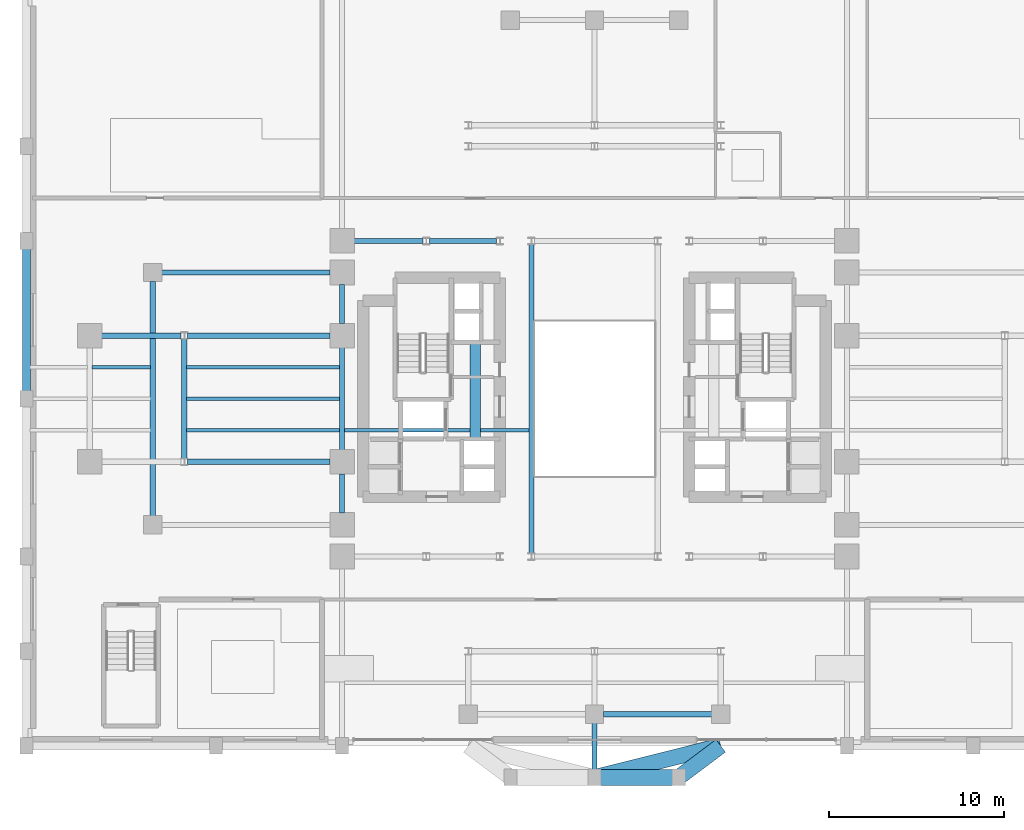
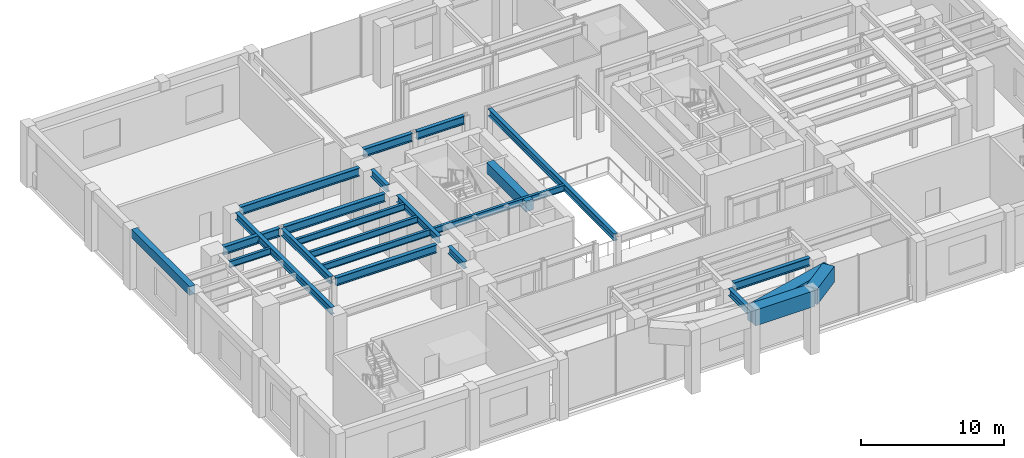
# One storey, part 5 of 16: 24 beams.
"""IFC4 building model written with IfcOpenShell, lengths in metres."""

from ifc_helpers import new_model, si_unit, direction, frame, origin, origin_2d, place, context, subcontext, project, spatial, rectangle, i_section, extrude, source, transform, mapped, material, material_profile, profile_set, type_object, element, save


model = new_model("IFC4")

# Units and contexts
model_context = context("Model", 3, precision=1e-05, world=origin(), true_north=direction((0.0, 1.0)))
body_context = subcontext(model_context, "Body", "Model", "MODEL_VIEW")
ifc_project = project(units=[si_unit("LENGTHUNIT", "METRE"), si_unit("AREAUNIT", "SQUARE_METRE"), si_unit("VOLUMEUNIT", "CUBIC_METRE"), si_unit("PLANEANGLEUNIT", "RADIAN"), si_unit("MASSUNIT", "GRAM", prefix="KILO")], contexts=[model_context])

# Site, building, storey
site_placement = place(None, origin())
site = spatial("IfcSite", under=ifc_project, at=site_placement, CompositionType="ELEMENT")
building_placement = place(site_placement, origin())
building = spatial("IfcBuilding", under=site, at=building_placement, Name="Keilestroom Media Tower", CompositionType="ELEMENT")
storey_placement = place(building_placement, frame((0.0, 0.0, 10.199951171875)))
storey = spatial("IfcBuildingStorey", under=building, at=storey_placement, Name="L02", CompositionType="ELEMENT", Elevation=10.199951171875)

# Beams
ifc_material_1 = material(Name="Concrete C55/67", Category="concrete")
ifc_material_profile_1 = material_profile(ifc_material_1, rectangle(XDim=0.89990234375, YDim=1.35009765625, at=origin_2d()), Name="RC 900x1350")
ifc_profile_set_1 = profile_set([ifc_material_profile_1], Name="Concrete C55/67")
beam_type_1 = type_object("IfcBeamType", Name="Primary-Structural-Girder-RC-900x1350", PredefinedType="BEAM", material=ifc_profile_set_1)
shared_shape_1 = source(origin(), body_context, "Body", "SweptSolid", [
    extrude(rectangle(XDim=0.89990234375, YDim=1.35009765625, at=origin_2d()), origin(), (0.0, 0.0, 1.0), 3.0),
])
beam_1_placement = place(storey_placement, frame((4.800048828125, -21.60009765625, 4.705078125), z_axis=(0.799980468008, 0.600026041773, 0.0), x_axis=(-0.600026041773, 0.799980468008, 0.0)))
element("IfcBeam", 1, at=beam_1_placement, inside=storey, type_object=beam_type_1, Name="L02 South-Lobe Podium Tie Girder 4", PredefinedType="BEAM", context=body_context, shape_type="MappedRepresentation", body=[
    mapped(shared_shape_1, transform((0.0, 0.0, 0.0), x_axis=(1.0, 0.0, 0.0), y_axis=(0.0, 1.0, 0.0), z_axis=(0.0, 0.0, 1.0), scale=1.0)),
])
shared_shape_2 = source(origin(), body_context, "Body", "SweptSolid", [
    extrude(rectangle(XDim=0.89990234375, YDim=1.35009765625, at=origin_2d()), origin(), (0.0, 0.0, 1.0), 7.421630859375),
])
beam_2_placement = place(storey_placement, frame((0.0, -21.60009765625, 4.705078125), z_axis=(0.970140565046, 0.242543365301, 0.0), x_axis=(-0.242543365301, 0.970140565046, 0.0)))
element("IfcBeam", 2, at=beam_2_placement, inside=storey, type_object=beam_type_1, Name="L02 South-Lobe Podium Tie Girder 3", PredefinedType="BEAM", context=body_context, shape_type="MappedRepresentation", body=[
    mapped(shared_shape_2, transform((0.0, 0.0, 0.0), x_axis=(1.0, 0.0, 0.0), y_axis=(0.0, 1.0, 0.0), z_axis=(0.0, 0.0, 1.0), scale=1.0)),
])
shared_shape_3 = source(origin(), body_context, "Body", "SweptSolid", [
    extrude(rectangle(XDim=0.89990234375, YDim=1.35009765625, at=origin_2d()), origin(), (0.0, 0.0, 1.0), 4.800048828125),
])
beam_3_placement = place(storey_placement, frame((0.0, -21.60009765625, 4.705078125), z_axis=(1.0, 0.0, 0.0), x_axis=(0.0, 1.0, 0.0)))
element("IfcBeam", 3, at=beam_3_placement, inside=storey, type_object=beam_type_1, Name="L02 South-Lobe Transverse Tie Girder E", PredefinedType="BEAM", context=body_context, shape_type="MappedRepresentation", body=[
    mapped(shared_shape_3, transform((0.0, 0.0, 0.0), x_axis=(1.0, 0.0, 0.0), y_axis=(0.0, 1.0, 0.0), z_axis=(0.0, 0.0, 1.0), scale=1.0)),
])
ifc_material_2 = material(Name="Concrete C70/85", Category="concrete")
ifc_material_profile_2 = material_profile(ifc_material_2, rectangle(XDim=0.60009765625, YDim=0.89990234375, at=origin_2d()), Name="RC 600x900")
ifc_profile_set_2 = profile_set([ifc_material_profile_2], Name="Concrete C70/85")
beam_type_2 = type_object("IfcBeamType", Name="Core-Coupling-Lintel-Beam-RC-600x900", PredefinedType="LINTEL", material=ifc_profile_set_2)
shared_shape_4 = source(origin(), body_context, "Body", "SweptSolid", [
    extrude(rectangle(XDim=0.60009765625, YDim=0.89990234375, at=origin_2d()), origin(), (0.0, 0.0, 1.0), 5.52001953125),
])
beam_4_placement = place(storey_placement, frame((-6.800048828125, -2.300048828125, 4.699951171875), z_axis=(0.0, 1.0, 0.0), x_axis=(-1.0, 0.0, 0.0)))
element("IfcBeam", 4, at=beam_4_placement, inside=storey, type_object=beam_type_2, Name="L02 Beam CLB-1 CLB-L02-W", PredefinedType="LINTEL", context=body_context, shape_type="MappedRepresentation", body=[
    mapped(shared_shape_4, transform((0.0, 0.0, 0.0), x_axis=(1.0, 0.0, 0.0), y_axis=(0.0, 1.0, 0.0), z_axis=(0.0, 0.0, 1.0), scale=1.0)),
])
ifc_material_3 = material(Name="Precast concrete C40/50", Category="concrete")
ifc_material_profile_3 = material_profile(ifc_material_3, rectangle(XDim=0.449951171875, YDim=0.75, at=origin_2d()), Name="PC 450x750")
ifc_profile_set_3 = profile_set([ifc_material_profile_3], Name="Precast concrete C40/50")
beam_type_3 = type_object("IfcBeamType", Name="Perimeter-Spandrel-Beam-PC-450x750", PredefinedType="SPANDREL", material=ifc_profile_set_3)
shared_shape_5 = source(origin(), body_context, "Body", "SweptSolid", [
    extrude(rectangle(XDim=0.449951171875, YDim=0.75, at=origin_2d()), origin(), (0.0, 0.0, 1.0), 8.08984375),
])
beam_5_placement = place(storey_placement, frame((-32.39990234375, 0.455078125, 4.775146484375), z_axis=(0.0, 1.0, 0.0), x_axis=(-1.0, 0.0, 0.0)))
element("IfcBeam", 5, at=beam_5_placement, inside=storey, type_object=beam_type_3, Name="L02 Beam SPB-1 BM-L02-NS-048", PredefinedType="SPANDREL", context=body_context, shape_type="MappedRepresentation", body=[
    mapped(shared_shape_5, transform((0.0, 0.0, 0.0), x_axis=(1.0, 0.0, 0.0), y_axis=(0.0, 1.0, 0.0), z_axis=(0.0, 0.0, 1.0), scale=1.0)),
])
ifc_material_4 = material(Name="Steel S355", Category="steel")
ifc_material_profile_4 = material_profile(ifc_material_4, i_section(OverallWidth=0.300048828125, OverallDepth=0.60009765625, WebThickness=0.013427734375, FlangeThickness=0.030029296875, at=origin_2d()), Name="HEB 600")
ifc_profile_set_4 = profile_set([ifc_material_profile_4], Name="Steel S355")
beam_type_4 = type_object("IfcBeamType", Name="Primary-Structural-Girder-HEB-600", PredefinedType="BEAM", material=ifc_profile_set_4)
shared_shape_6 = source(origin(), body_context, "Body", "SweptSolid", [
    extrude(i_section(OverallWidth=0.300048828125, OverallDepth=0.60009765625, WebThickness=0.013427734375, FlangeThickness=0.030029296875, at=origin_2d()), origin(), (0.0, 0.0, 1.0), 5.83984375),
])
beam_6_placement = place(storey_placement, frame((-14.39990234375, -2.919921875, 4.85009765625), z_axis=(0.0, 1.0, 0.0), x_axis=(-1.0, 0.0, 0.0)))
element("IfcBeam", 6, at=beam_6_placement, inside=storey, type_object=beam_type_4, Name="L02 Beam BG-4 BM-L02-NS-057", PredefinedType="BEAM", context=body_context, shape_type="MappedRepresentation", body=[
    mapped(shared_shape_6, transform((0.0, 0.0, 0.0), x_axis=(1.0, 0.0, 0.0), y_axis=(0.0, 1.0, 0.0), z_axis=(0.0, 0.0, 1.0), scale=1.0)),
])
shared_shape_7 = source(origin(), body_context, "Body", "SweptSolid", [
    extrude(i_section(OverallWidth=0.300048828125, OverallDepth=0.60009765625, WebThickness=0.013427734375, FlangeThickness=0.030029296875, at=origin_2d()), origin(), (0.0, 0.0, 1.0), 13.39013671875),
])
beam_7_placement = place(storey_placement, frame((-25.199951171875, -6.695068359375, 4.85009765625), z_axis=(0.0, 1.0, 0.0), x_axis=(-1.0, 0.0, 0.0)))
element("IfcBeam", 7, at=beam_7_placement, inside=storey, type_object=beam_type_4, Name="L02 Beam BG-4 BM-L02-NS-052", PredefinedType="BEAM", context=body_context, shape_type="MappedRepresentation", body=[
    mapped(shared_shape_7, transform((0.0, 0.0, 0.0), x_axis=(1.0, 0.0, 0.0), y_axis=(0.0, 1.0, 0.0), z_axis=(0.0, 0.0, 1.0), scale=1.0)),
])
shared_shape_8 = source(origin(), body_context, "Body", "SweptSolid", [
    extrude(i_section(OverallWidth=0.300048828125, OverallDepth=0.60009765625, WebThickness=0.013427734375, FlangeThickness=0.030029296875, at=origin_2d()), origin(), (0.0, 0.0, 1.0), 6.82421875),
])
beam_8_placement = place(storey_placement, frame((-23.39990234375, -3.412109375, 4.85009765625), z_axis=(0.0, 1.0, 0.0), x_axis=(-1.0, 0.0, 0.0)))
element("IfcBeam", 8, at=beam_8_placement, inside=storey, type_object=beam_type_4, Name="L02 Beam BG-4 BM-L02-NS-053", PredefinedType="BEAM", context=body_context, shape_type="MappedRepresentation", body=[
    mapped(shared_shape_8, transform((0.0, 0.0, 0.0), x_axis=(1.0, 0.0, 0.0), y_axis=(0.0, 1.0, 0.0), z_axis=(0.0, 0.0, 1.0), scale=1.0)),
])
shared_shape_9 = source(origin(), body_context, "Body", "SweptSolid", [
    extrude(i_section(OverallWidth=0.300048828125, OverallDepth=0.60009765625, WebThickness=0.013427734375, FlangeThickness=0.030029296875, at=origin_2d()), origin(), (0.0, 0.0, 1.0), 2.239990234375),
])
for number, where, z_axis, x_axis, name in (
    (9, (-14.39990234375, -6.52001953125, 4.85009765625), (0.0, 1.0, 0.0), (-1.0, 0.0, 0.0), "L02 Beam BG-4 BM-L02-NS-056"),
    (10, (-14.39990234375, 4.280029296875, 4.85009765625), (0.0, 1.0, 0.0), (-1.0, 0.0, 0.0), "L02 Beam BG-4 BM-L02-NS-058"),
):
    element("IfcBeam", number, at=place(storey_placement, frame(where, z_axis=z_axis, x_axis=x_axis)), inside=storey, type_object=beam_type_4, Name=name, PredefinedType="BEAM", context=body_context, shape_type="MappedRepresentation", body=[
        mapped(shared_shape_9, transform((0.0, 0.0, 0.0), x_axis=(1.0, 0.0, 0.0), y_axis=(0.0, 1.0, 0.0), z_axis=(0.0, 0.0, 1.0), scale=1.0)),
    ])
shared_shape_10 = source(origin(), body_context, "Body", "SweptSolid", [
    extrude(i_section(OverallWidth=0.300048828125, OverallDepth=0.60009765625, WebThickness=0.013427734375, FlangeThickness=0.030029296875, at=origin_2d()), origin(), (0.0, 0.0, 1.0), 17.6240234375),
])
beam_9_placement = place(storey_placement, frame((-3.60009765625, -8.81201171875, 4.85009765625), z_axis=(0.0, 1.0, 0.0), x_axis=(-1.0, 0.0, 0.0)))
element("IfcBeam", 11, at=beam_9_placement, inside=storey, type_object=beam_type_4, Name="L02 Beam BG-4 BM-L02-NS-065", PredefinedType="BEAM", context=body_context, shape_type="MappedRepresentation", body=[
    mapped(shared_shape_10, transform((0.0, 0.0, 0.0), x_axis=(1.0, 0.0, 0.0), y_axis=(0.0, 1.0, 0.0), z_axis=(0.0, 0.0, 1.0), scale=1.0)),
])
shared_shape_11 = source(origin(), body_context, "Body", "SweptSolid", [
    extrude(i_section(OverallWidth=0.300048828125, OverallDepth=0.60009765625, WebThickness=0.013427734375, FlangeThickness=0.030029296875, at=origin_2d()), origin(), (0.0, 0.0, 1.0), 2.64013671875),
])
beam_10_placement = place(storey_placement, frame((0.0, -21.14501953125, 4.85009765625), z_axis=(0.0, 1.0, 0.0), x_axis=(-1.0, 0.0, 0.0)))
element("IfcBeam", 12, at=beam_10_placement, inside=storey, type_object=beam_type_4, Name="L02 Beam BG-4 BM-L02-NS-066", PredefinedType="BEAM", context=body_context, shape_type="MappedRepresentation", body=[
    mapped(shared_shape_11, transform((0.0, 0.0, 0.0), x_axis=(1.0, 0.0, 0.0), y_axis=(0.0, 1.0, 0.0), z_axis=(0.0, 0.0, 1.0), scale=1.0)),
])
ifc_material_5 = material(Name="Steel S460", Category="steel")
ifc_material_profile_5 = material_profile(ifc_material_5, i_section(OverallWidth=0.300048828125, OverallDepth=0.699951171875, WebThickness=0.014404296875, FlangeThickness=0.031982421875, at=origin_2d()), Name="HEB 700")
ifc_profile_set_5 = profile_set([ifc_material_profile_5], Name="Steel S460")
beam_type_5 = type_object("IfcBeamType", Name="Primary-Structural-Girder-HEB-700", PredefinedType="BEAM", material=ifc_profile_set_5)
shared_shape_12 = source(origin(), body_context, "Body", "SweptSolid", [
    extrude(i_section(OverallWidth=0.300048828125, OverallDepth=0.699951171875, WebThickness=0.014404296875, FlangeThickness=0.031982421875, at=origin_2d()), origin(), (0.0, 0.0, 1.0), 6.190185546875),
])
beam_11_placement = place(storey_placement, frame((0.5048828125, -18.0, 4.800048828125), z_axis=(1.0, 0.0, 0.0), x_axis=(0.0, 1.0, 0.0)))
element("IfcBeam", 13, at=beam_11_placement, inside=storey, type_object=beam_type_5, Name="L02 Beam BG-2 BM-L02-EW-006", PredefinedType="BEAM", context=body_context, shape_type="MappedRepresentation", body=[
    mapped(shared_shape_12, transform((0.0, 0.0, 0.0), x_axis=(1.0, 0.0, 0.0), y_axis=(0.0, 1.0, 0.0), z_axis=(0.0, 0.0, 1.0), scale=1.0)),
])
shared_shape_13 = source(origin(), body_context, "Body", "SweptSolid", [
    extrude(i_section(OverallWidth=0.300048828125, OverallDepth=0.699951171875, WebThickness=0.014404296875, FlangeThickness=0.031982421875, at=origin_2d()), origin(), (0.0, 0.0, 1.0), 3.93701171875),
])
beam_12_placement = place(storey_placement, frame((-13.719970703125, 9.0, 4.800048828125), z_axis=(1.0, 0.0, 0.0), x_axis=(0.0, 1.0, 0.0)))
element("IfcBeam", 14, at=beam_12_placement, inside=storey, type_object=beam_type_5, Name="L02 Beam BG-2 BM-L02-EW-028", PredefinedType="BEAM", context=body_context, shape_type="MappedRepresentation", body=[
    mapped(shared_shape_13, transform((0.0, 0.0, 0.0), x_axis=(1.0, 0.0, 0.0), y_axis=(0.0, 1.0, 0.0), z_axis=(0.0, 0.0, 1.0), scale=1.0)),
])
shared_shape_14 = source(origin(), body_context, "Body", "SweptSolid", [
    extrude(i_section(OverallWidth=0.300048828125, OverallDepth=0.699951171875, WebThickness=0.014404296875, FlangeThickness=0.031982421875, at=origin_2d()), origin(), (0.0, 0.0, 1.0), 3.833984375),
])
beam_13_placement = place(storey_placement, frame((-9.4169921875, 9.0, 4.800048828125), z_axis=(1.0, 0.0, 0.0), x_axis=(0.0, 1.0, 0.0)))
element("IfcBeam", 15, at=beam_13_placement, inside=storey, type_object=beam_type_5, Name="L02 Beam BG-2 BM-L02-EW-029", PredefinedType="BEAM", context=body_context, shape_type="MappedRepresentation", body=[
    mapped(shared_shape_14, transform((0.0, 0.0, 0.0), x_axis=(1.0, 0.0, 0.0), y_axis=(0.0, 1.0, 0.0), z_axis=(0.0, 0.0, 1.0), scale=1.0)),
])
shared_shape_15 = source(origin(), body_context, "Body", "SweptSolid", [
    extrude(i_section(OverallWidth=0.300048828125, OverallDepth=0.699951171875, WebThickness=0.014404296875, FlangeThickness=0.031982421875, at=origin_2d()), origin(), (0.0, 0.0, 1.0), 9.614990234375),
])
beam_14_placement = place(storey_placement, frame((-24.695068359375, 7.199951171875, 4.800048828125), z_axis=(1.0, 0.0, 0.0), x_axis=(0.0, 1.0, 0.0)))
element("IfcBeam", 16, at=beam_14_placement, inside=storey, type_object=beam_type_5, Name="L02 Beam BG-2 BM-L02-EW-026", PredefinedType="BEAM", context=body_context, shape_type="MappedRepresentation", body=[
    mapped(shared_shape_15, transform((0.0, 0.0, 0.0), x_axis=(1.0, 0.0, 0.0), y_axis=(0.0, 1.0, 0.0), z_axis=(0.0, 0.0, 1.0), scale=1.0)),
])
shared_shape_16 = source(origin(), body_context, "Body", "SweptSolid", [
    extrude(i_section(OverallWidth=0.300048828125, OverallDepth=0.699951171875, WebThickness=0.014404296875, FlangeThickness=0.031982421875, at=origin_2d()), origin(), (0.0, 0.0, 1.0), 4.537109375),
])
beam_15_placement = place(storey_placement, frame((-28.1201171875, 3.60009765625, 4.800048828125), z_axis=(1.0, 0.0, 0.0), x_axis=(0.0, 1.0, 0.0)))
element("IfcBeam", 17, at=beam_15_placement, inside=storey, type_object=beam_type_5, Name="L02 Beam BG-2 BM-L02-EW-022", PredefinedType="BEAM", context=body_context, shape_type="MappedRepresentation", body=[
    mapped(shared_shape_16, transform((0.0, 0.0, 0.0), x_axis=(1.0, 0.0, 0.0), y_axis=(0.0, 1.0, 0.0), z_axis=(0.0, 0.0, 1.0), scale=1.0)),
])
shared_shape_17 = source(origin(), body_context, "Body", "SweptSolid", [
    extrude(i_section(OverallWidth=0.300048828125, OverallDepth=0.699951171875, WebThickness=0.014404296875, FlangeThickness=0.031982421875, at=origin_2d()), origin(), (0.0, 0.0, 1.0), 8.136962890625),
])
for number, where, z_axis, x_axis, name in (
    (18, (-23.217041015625, -3.60009765625, 4.800048828125), (1.0, 0.0, 0.0), (0.0, 1.0, 0.0), "L02 Beam BG-2 BM-L02-EW-019"),
    (19, (-23.217041015625, 3.60009765625, 4.800048828125), (1.0, 0.0, 0.0), (0.0, 1.0, 0.0), "L02 Beam BG-2 BM-L02-EW-023"),
):
    element("IfcBeam", number, at=place(storey_placement, frame(where, z_axis=z_axis, x_axis=x_axis)), inside=storey, type_object=beam_type_5, Name=name, PredefinedType="BEAM", context=body_context, shape_type="MappedRepresentation", body=[
        mapped(shared_shape_17, transform((0.0, 0.0, 0.0), x_axis=(1.0, 0.0, 0.0), y_axis=(0.0, 1.0, 0.0), z_axis=(0.0, 0.0, 1.0), scale=1.0)),
    ])
ifc_material_profile_6 = material_profile(ifc_material_4, i_section(OverallWidth=0.2099609375, OverallDepth=0.550048828125, WebThickness=0.010986328125, FlangeThickness=0.01708984375, at=origin_2d()), Name="IPE 550")
ifc_profile_set_6 = profile_set([ifc_material_profile_6], Name="Steel S355")
beam_type_6 = type_object("IfcBeamType", Name="Secondary-Floor-Joist-IPE-550", PredefinedType="JOIST", material=ifc_profile_set_6)
shared_shape_18 = source(origin(), body_context, "Body", "SweptSolid", [
    extrude(i_section(OverallWidth=0.2099609375, OverallDepth=0.550048828125, WebThickness=0.010986328125, FlangeThickness=0.01708984375, at=origin_2d()), origin(), (0.0, 0.0, 1.0), 3.33984375),
])
beam_16_placement = place(storey_placement, frame((-28.669921875, 1.800048828125, 4.875), z_axis=(1.0, 0.0, 0.0), x_axis=(0.0, 1.0, 0.0)))
element("IfcBeam", 20, at=beam_16_placement, inside=storey, type_object=beam_type_6, Name="L02 Beam BJ-1 JST-L02-114", PredefinedType="JOIST", context=body_context, shape_type="MappedRepresentation", body=[
    mapped(shared_shape_18, transform((0.0, 0.0, 0.0), x_axis=(1.0, 0.0, 0.0), y_axis=(0.0, 1.0, 0.0), z_axis=(0.0, 0.0, 1.0), scale=1.0)),
])
shared_shape_19 = source(origin(), body_context, "Body", "SweptSolid", [
    extrude(i_section(OverallWidth=0.2099609375, OverallDepth=0.550048828125, WebThickness=0.010986328125, FlangeThickness=0.01708984375, at=origin_2d()), origin(), (0.0, 0.0, 1.0), 8.739990234375),
])
for number, where, z_axis, x_axis, name in (
    (21, (-23.27001953125, -1.800048828125, 4.875), (1.0, 0.0, 0.0), (0.0, 1.0, 0.0), "L02 Beam BJ-1 JST-L02-097"),
    (22, (-23.27001953125, 0.0, 4.875), (1.0, 0.0, 0.0), (0.0, 1.0, 0.0), "L02 Beam BJ-1 JST-L02-106"),
    (23, (-23.27001953125, 1.800048828125, 4.875), (1.0, 0.0, 0.0), (0.0, 1.0, 0.0), "L02 Beam BJ-1 JST-L02-115"),
):
    element("IfcBeam", number, at=place(storey_placement, frame(where, z_axis=z_axis, x_axis=x_axis)), inside=storey, type_object=beam_type_6, Name=name, PredefinedType="JOIST", context=body_context, shape_type="MappedRepresentation", body=[
        mapped(shared_shape_19, transform((0.0, 0.0, 0.0), x_axis=(1.0, 0.0, 0.0), y_axis=(0.0, 1.0, 0.0), z_axis=(0.0, 0.0, 1.0), scale=1.0)),
    ])
shared_shape_20 = source(origin(), body_context, "Body", "SweptSolid", [
    extrude(i_section(OverallWidth=0.2099609375, OverallDepth=0.550048828125, WebThickness=0.010986328125, FlangeThickness=0.01708984375, at=origin_2d()), origin(), (0.0, 0.0, 1.0), 10.5400390625),
])
beam_17_placement = place(storey_placement, frame((-14.27001953125, -1.800048828125, 4.875), z_axis=(1.0, 0.0, 0.0), x_axis=(0.0, 1.0, 0.0)))
element("IfcBeam", 24, at=beam_17_placement, inside=storey, type_object=beam_type_6, Name="L02 Beam BJ-1 JST-L02-098", PredefinedType="JOIST", context=body_context, shape_type="MappedRepresentation", body=[
    mapped(shared_shape_20, transform((0.0, 0.0, 0.0), x_axis=(1.0, 0.0, 0.0), y_axis=(0.0, 1.0, 0.0), z_axis=(0.0, 0.0, 1.0), scale=1.0)),
])

save(model, "model.ifc")
